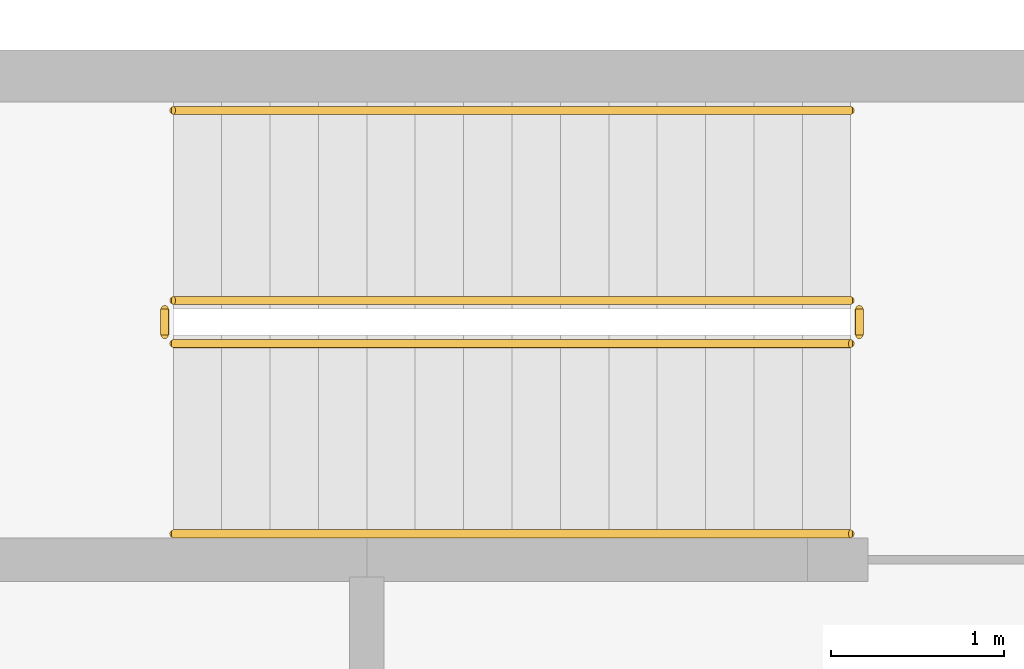
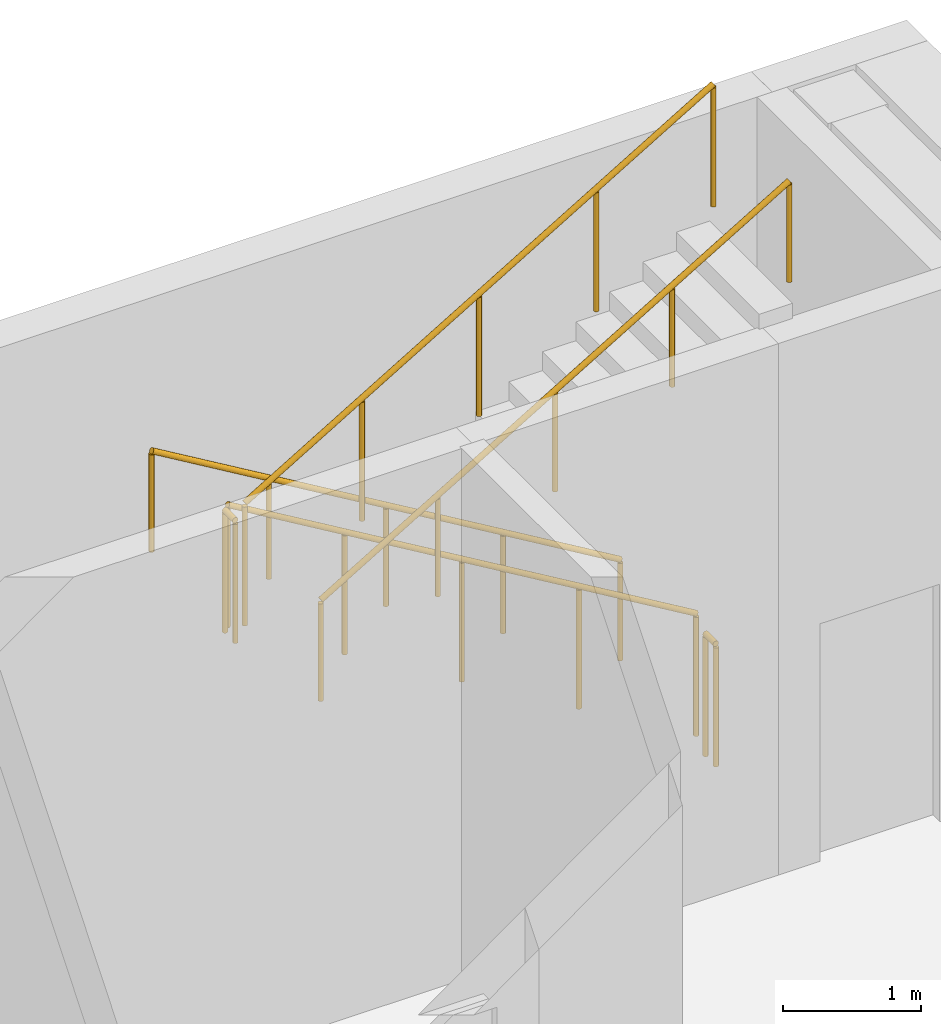
# One storey, part 18 of 19: 6 railings.
"""IFC4 building model written with IfcOpenShell, lengths in metres."""

from ifc_helpers import new_model, si_unit, direction, frame, origin, origin_2d, place, context, subcontext, project, spatial, circle, extrude, material, type_object, element, save


model = new_model("IFC4")

# Units and contexts
model_context = context("Model", 3, precision=1e-05, world=origin(), true_north=direction((0.0, 1.0)))
body_context = subcontext(model_context, "Body", "Model", "MODEL_VIEW")
ifc_project = project(units=[si_unit("LENGTHUNIT", "METRE"), si_unit("AREAUNIT", "SQUARE_METRE"), si_unit("VOLUMEUNIT", "CUBIC_METRE"), si_unit("PLANEANGLEUNIT", "RADIAN"), si_unit("MASSUNIT", "GRAM", prefix="KILO")], contexts=[model_context])

# Site, building, storey
site_placement = place(None, origin())
site = spatial("IfcSite", under=ifc_project, at=site_placement, CompositionType="ELEMENT")
building_placement = place(site_placement, origin())
building = spatial("IfcBuilding", under=site, at=building_placement, Name="Girih Gate Residences", CompositionType="ELEMENT")
storey_placement = place(building_placement, frame((0.0, 0.0, 21.0)))
storey = spatial("IfcBuildingStorey", under=building, at=storey_placement, Name="L04", CompositionType="ELEMENT", Elevation=21.0)

# Railings
ifc_material = material(Name="Stainless steel railing", Category="steel")
railing_type_1 = type_object("IfcRailingType", Name="HC Guard 1100", PredefinedType="GUARDRAIL", material=ifc_material)
railing_1_placement = place(storey_placement, frame((87.75, 43.550048828125, 0.166748046875)))
element("IfcRailing", 1, at=railing_1_placement, inside=storey, type_object=railing_type_1, Name="L04 HC-STB stair guard 1", PredefinedType="GUARDRAIL", context=body_context, shape_type="SweptSolid", body=[
    extrude(circle(Radius=0.02392578125, at=origin_2d()), frame((0.0, 0.0, 1.076171875), z_axis=(-0.859296244711, 0.0, 0.511478214419), x_axis=(0.0, -1.0, 0.0)), (0.0, 0.0, 1.0), 4.561767578125),
    extrude(circle(Radius=0.02099609375, at=origin_2d()), origin(), (0.0, 0.0, 1.0), 1.052001953125),
    extrude(circle(Radius=0.02099609375, at=origin_2d()), frame((-0.97998046875, 0.0, 0.583251953125)), (0.0, 0.0, 1.0), 1.052001953125),
    extrude(circle(Radius=0.02099609375, at=origin_2d()), frame((-1.9599609375, 0.0, 1.16650390625)), (0.0, 0.0, 1.0), 1.052001953125),
    extrude(circle(Radius=0.02099609375, at=origin_2d()), frame((-2.93994140625, 0.0, 1.75)), (0.0, 0.0, 1.0), 1.052001953125),
    extrude(circle(Radius=0.02099609375, at=origin_2d()), frame((-3.919921875, 0.0, 2.333251953125)), (0.0, 0.0, 1.0), 1.052001953125),
])
railing_2_placement = place(storey_placement, frame((83.780029296875, 43.5, 2.5)))
element("IfcRailing", 2, at=railing_2_placement, inside=storey, type_object=railing_type_1, Name="L04 HC-STB stair guard 2", PredefinedType="GUARDRAIL", context=body_context, shape_type="SweptSolid", body=[
    extrude(circle(Radius=0.02392578125, at=origin_2d()), frame((0.0, 0.0, 1.076171875), z_axis=(0.0, -1.0, 0.0), x_axis=(1.0, 0.0, 0.0)), (0.0, 0.0, 1.0), 0.14990234375),
    extrude(circle(Radius=0.02099609375, at=origin_2d()), origin(), (0.0, 0.0, 1.0), 1.052001953125),
    extrude(circle(Radius=0.02099609375, at=origin_2d()), frame((0.0, -0.14990234375, 0.0)), (0.0, 0.0, 1.0), 1.052001953125),
])
railing_3_placement = place(storey_placement, frame((83.830078125, 43.300048828125, 2.666748046875)))
element("IfcRailing", 3, at=railing_3_placement, inside=storey, type_object=railing_type_1, Name="L04 HC-STB stair guard 3", PredefinedType="GUARDRAIL", context=body_context, shape_type="SweptSolid", body=[
    extrude(circle(Radius=0.02392578125, at=origin_2d()), frame((0.0, 0.0, 1.076171875), z_axis=(0.859296244711, 0.0, 0.511478214419), x_axis=(0.0, 1.0, 0.0)), (0.0, 0.0, 1.0), 4.561767578125),
    extrude(circle(Radius=0.02099609375, at=origin_2d()), origin(), (0.0, 0.0, 1.0), 1.052001953125),
    extrude(circle(Radius=0.02099609375, at=origin_2d()), frame((0.97998046875, 0.0, 0.583251953125)), (0.0, 0.0, 1.0), 1.052001953125),
    extrude(circle(Radius=0.02099609375, at=origin_2d()), frame((1.9599609375, 0.0, 1.16650390625)), (0.0, 0.0, 1.0), 1.052001953125),
    extrude(circle(Radius=0.02099609375, at=origin_2d()), frame((2.93994140625, 0.0, 1.75)), (0.0, 0.0, 1.0), 1.052001953125),
    extrude(circle(Radius=0.02099609375, at=origin_2d()), frame((3.919921875, 0.0, 2.333251953125)), (0.0, 0.0, 1.0), 1.052001953125),
])
railing_4_placement = place(storey_placement, frame((87.800048828125, 43.5, 0.0)))
element("IfcRailing", 4, at=railing_4_placement, inside=storey, type_object=railing_type_1, Name="L04 HC-STB stair guard 4", PredefinedType="GUARDRAIL", context=body_context, shape_type="SweptSolid", body=[
    extrude(circle(Radius=0.02392578125, at=origin_2d()), frame((0.0, 0.0, 1.076171875), z_axis=(0.0, -1.0, 0.0), x_axis=(1.0, 0.0, 0.0)), (0.0, 0.0, 1.0), 0.14990234375),
    extrude(circle(Radius=0.02099609375, at=origin_2d()), origin(), (0.0, 0.0, 1.0), 1.052001953125),
    extrude(circle(Radius=0.02099609375, at=origin_2d()), frame((0.0, -0.14990234375, 0.0)), (0.0, 0.0, 1.0), 1.052001953125),
])
railing_type_2 = type_object("IfcRailingType", Name="HC Handrail 900", PredefinedType="HANDRAIL", material=ifc_material)
railing_5_placement = place(storey_placement, frame((87.75, 44.64990234375, 0.166748046875)))
element("IfcRailing", 5, at=railing_5_placement, inside=storey, type_object=railing_type_2, Name="L04 HC-STB stair handrail 1", PredefinedType="HANDRAIL", context=body_context, shape_type="SweptSolid", body=[
    extrude(circle(Radius=0.02392578125, at=origin_2d()), frame((0.0, 0.0, 0.8857421875), z_axis=(-0.859296244711, 0.0, 0.511478214419), x_axis=(0.0, -1.0, 0.0)), (0.0, 0.0, 1.0), 4.561767578125),
    extrude(circle(Radius=0.02099609375, at=origin_2d()), origin(), (0.0, 0.0, 1.0), 0.86181640625),
    extrude(circle(Radius=0.02099609375, at=origin_2d()), frame((-0.97998046875, 0.0, 0.583251953125)), (0.0, 0.0, 1.0), 0.86181640625),
    extrude(circle(Radius=0.02099609375, at=origin_2d()), frame((-1.9599609375, 0.0, 1.16650390625)), (0.0, 0.0, 1.0), 0.86181640625),
    extrude(circle(Radius=0.02099609375, at=origin_2d()), frame((-2.93994140625, 0.0, 1.75)), (0.0, 0.0, 1.0), 0.86181640625),
    extrude(circle(Radius=0.02099609375, at=origin_2d()), frame((-3.919921875, 0.0, 2.333251953125)), (0.0, 0.0, 1.0), 0.86181640625),
])
railing_6_placement = place(storey_placement, frame((83.830078125, 42.199951171875, 2.666748046875)))
element("IfcRailing", 6, at=railing_6_placement, inside=storey, type_object=railing_type_2, Name="L04 HC-STB stair handrail 2", PredefinedType="HANDRAIL", context=body_context, shape_type="SweptSolid", body=[
    extrude(circle(Radius=0.02392578125, at=origin_2d()), frame((0.0, 0.0, 0.8857421875), z_axis=(0.859296244711, 0.0, 0.511478214419), x_axis=(0.0, 1.0, 0.0)), (0.0, 0.0, 1.0), 4.561767578125),
    extrude(circle(Radius=0.02099609375, at=origin_2d()), origin(), (0.0, 0.0, 1.0), 0.86181640625),
    extrude(circle(Radius=0.02099609375, at=origin_2d()), frame((0.97998046875, 0.0, 0.583251953125)), (0.0, 0.0, 1.0), 0.86181640625),
    extrude(circle(Radius=0.02099609375, at=origin_2d()), frame((1.9599609375, 0.0, 1.16650390625)), (0.0, 0.0, 1.0), 0.86181640625),
    extrude(circle(Radius=0.02099609375, at=origin_2d()), frame((2.93994140625, 0.0, 1.75)), (0.0, 0.0, 1.0), 0.86181640625),
    extrude(circle(Radius=0.02099609375, at=origin_2d()), frame((3.919921875, 0.0, 2.333251953125)), (0.0, 0.0, 1.0), 0.86181640625),
])

save(model, "model.ifc")
